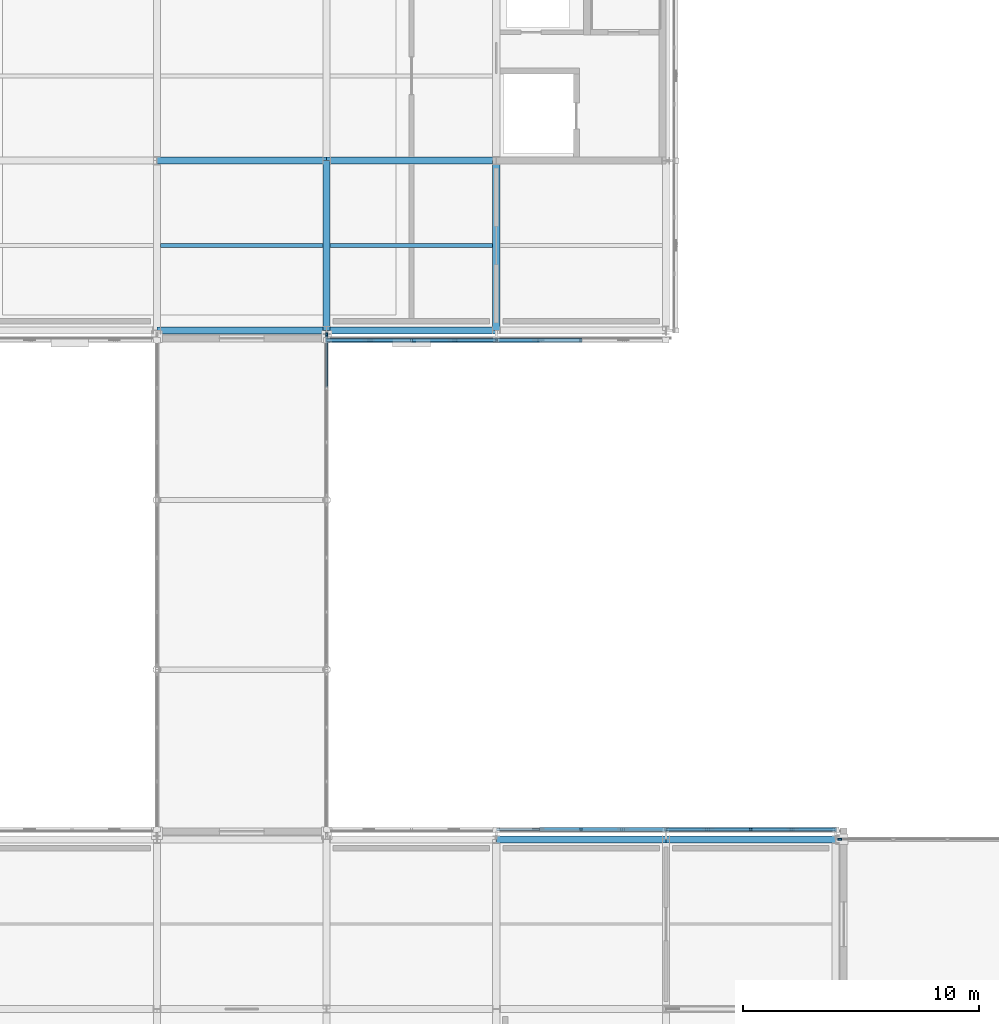
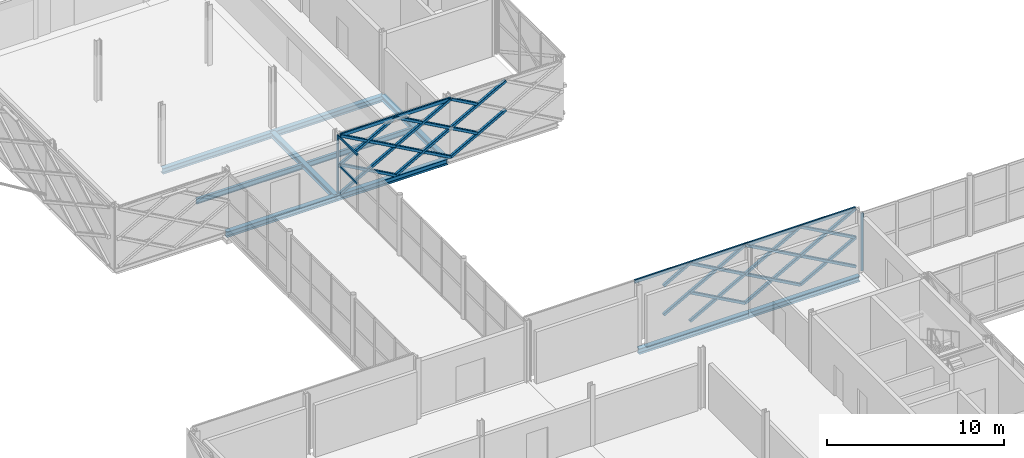
# One storey, part 35 of 146: 43 members, 10 beams, 2 elements without a shape of their own.
"""IFC4 building model written with IfcOpenShell, lengths in metres."""

from ifc_helpers import new_model, si_unit, direction, frame, origin, origin_2d, place, context, subcontext, project, spatial, rectangle, hollow_rectangle, i_section, extrude, material, material_profile, profile_set, type_object, element, aggregate, save


model = new_model("IFC4")

# Units and contexts
model_context = context("Model", 3, precision=1e-05, world=origin(), true_north=direction((0.0, 1.0)))
body_context = subcontext(model_context, "Body", "Model", "MODEL_VIEW")
ifc_project = project(units=[si_unit("LENGTHUNIT", "METRE"), si_unit("AREAUNIT", "SQUARE_METRE"), si_unit("VOLUMEUNIT", "CUBIC_METRE"), si_unit("PLANEANGLEUNIT", "RADIAN"), si_unit("MASSUNIT", "GRAM", prefix="KILO")], contexts=[model_context])

# Site, building, storey
site_placement = place(None, origin())
site = spatial("IfcSite", under=ifc_project, at=site_placement, CompositionType="ELEMENT")
building_placement = place(site_placement, origin())
building = spatial("IfcBuilding", under=site, at=building_placement, Name="Zlatovets Crest Museum", CompositionType="ELEMENT")
storey_placement = place(building_placement, frame((0.0, 0.0, 4.5)))
storey = spatial("IfcBuildingStorey", under=building, at=storey_placement, Name="L01", CompositionType="ELEMENT", Elevation=4.5)

# Beams
ifc_material_1 = material(Name="Structural steel S355J2", Category="steel")
ifc_material_profile_1 = material_profile(ifc_material_1, i_section(OverallWidth=0.300048828125, OverallDepth=0.389892578125, WebThickness=0.010986328125, FlangeThickness=0.01904296875, FilletRadius=0.027099609375, at=origin_2d()), Name="HEA 400")
ifc_profile_set_1 = profile_set([ifc_material_profile_1], Name="Structural steel S355J2")
beam_type_1 = type_object("IfcBeamType", Name="Beam_B-02", PredefinedType="BEAM", material=ifc_profile_set_1)
for number, where, z_axis, x_axis, name in (
    (1, (28.800048828125, 28.800048828125, -0.4150390625), (1.0, 0.0, 0.0), (0.0, 1.0, 0.0), "V3 L01 Primary Girder B-02"),
    (2, (36.0, 28.800048828125, -0.4150390625), (1.0, 0.0, 0.0), (0.0, 1.0, 0.0), "V3 L01 Primary Girder B-02"),
):
    element("IfcBeam", number, at=place(storey_placement, frame(where, z_axis=z_axis, x_axis=x_axis)), inside=storey, type_object=beam_type_1, Name=name, PredefinedType="BEAM", context=body_context, shape_type="SweptSolid", body=[
        extrude(i_section(OverallWidth=0.300048828125, OverallDepth=0.389892578125, WebThickness=0.010986328125, FlangeThickness=0.01904296875, FilletRadius=0.027099609375, at=origin_2d()), origin(), (0.0, 0.0, 1.0), 7.199951171875),
    ])
beam_1_placement = place(storey_placement, frame((14.39990234375, 50.39990234375, -0.4150390625), z_axis=(1.0, 0.0, 0.0), x_axis=(0.0, 1.0, 0.0)))
element("IfcBeam", 3, at=beam_1_placement, inside=storey, type_object=beam_type_1, Name="V4 L01 Primary Girder B-02", PredefinedType="BEAM", context=body_context, shape_type="SweptSolid", body=[
    extrude(i_section(OverallWidth=0.300048828125, OverallDepth=0.389892578125, WebThickness=0.010986328125, FlangeThickness=0.01904296875, FilletRadius=0.027099609375, at=origin_2d()), origin(), (0.0, 0.0, 1.0), 7.2001953125),
])
beam_2_placement = place(storey_placement, frame((21.60009765625, 50.39990234375, -0.4150390625), z_axis=(1.0, 0.0, 0.0), x_axis=(0.0, 1.0, 0.0)))
element("IfcBeam", 4, at=beam_2_placement, inside=storey, type_object=beam_type_1, Name="V4 L01 Primary Girder B-02", PredefinedType="BEAM", context=body_context, shape_type="SweptSolid", body=[
    extrude(i_section(OverallWidth=0.300048828125, OverallDepth=0.389892578125, WebThickness=0.010986328125, FlangeThickness=0.01904296875, FilletRadius=0.027099609375, at=origin_2d()), origin(), (0.0, 0.0, 1.0), 7.199951171875),
])
beam_3_placement = place(storey_placement, frame((14.39990234375, 57.60009765625, -0.4150390625), z_axis=(1.0, 0.0, 0.0), x_axis=(0.0, 1.0, 0.0)))
element("IfcBeam", 5, at=beam_3_placement, inside=storey, type_object=beam_type_1, Name="V4 L01 Primary Girder B-02", PredefinedType="BEAM", context=body_context, shape_type="SweptSolid", body=[
    extrude(i_section(OverallWidth=0.300048828125, OverallDepth=0.389892578125, WebThickness=0.010986328125, FlangeThickness=0.01904296875, FilletRadius=0.027099609375, at=origin_2d()), origin(), (0.0, 0.0, 1.0), 7.2001953125),
])
beam_4_placement = place(storey_placement, frame((21.60009765625, 57.60009765625, -0.4150390625), z_axis=(1.0, 0.0, 0.0), x_axis=(0.0, 1.0, 0.0)))
element("IfcBeam", 6, at=beam_4_placement, inside=storey, type_object=beam_type_1, Name="V4 L01 Primary Girder B-02", PredefinedType="BEAM", context=body_context, shape_type="SweptSolid", body=[
    extrude(i_section(OverallWidth=0.300048828125, OverallDepth=0.389892578125, WebThickness=0.010986328125, FlangeThickness=0.01904296875, FilletRadius=0.027099609375, at=origin_2d()), origin(), (0.0, 0.0, 1.0), 7.199951171875),
])
ifc_material_profile_2 = material_profile(ifc_material_1, i_section(OverallWidth=0.300048828125, OverallDepth=0.35009765625, WebThickness=0.010009765625, FlangeThickness=0.017578125, FilletRadius=0.027099609375, at=origin_2d()), Name="HEA 360")
ifc_profile_set_2 = profile_set([ifc_material_profile_2], Name="Structural steel S355J2")
beam_type_2 = type_object("IfcBeamType", Name="Beam_B-03", PredefinedType="BEAM", material=ifc_profile_set_2)
for number, where, z_axis, x_axis, name in (
    (7, (21.60009765625, 50.39990234375, -0.39501953125), (0.0, 1.0, 0.0), (-1.0, 0.0, 0.0), "V4 L01 Grid Beam B-03"),
    (8, (28.800048828125, 50.39990234375, -0.39501953125), (0.0, 1.0, 0.0), (-1.0, 0.0, 0.0), "V4 L01 Grid Beam B-03"),
):
    element("IfcBeam", number, at=place(storey_placement, frame(where, z_axis=z_axis, x_axis=x_axis)), inside=storey, type_object=beam_type_2, Name=name, PredefinedType="BEAM", context=body_context, shape_type="SweptSolid", body=[
        extrude(i_section(OverallWidth=0.300048828125, OverallDepth=0.35009765625, WebThickness=0.010009765625, FlangeThickness=0.017578125, FilletRadius=0.027099609375, at=origin_2d()), origin(), (0.0, 0.0, 1.0), 7.2001953125),
    ])
ifc_material_profile_3 = material_profile(ifc_material_1, i_section(OverallWidth=0.169921875, OverallDepth=0.360107421875, WebThickness=0.008056640625, FlangeThickness=0.0126953125, FilletRadius=0.01806640625, at=origin_2d()), Name="IPE 360")
ifc_profile_set_3 = profile_set([ifc_material_profile_3], Name="Structural steel S355J2")
beam_type_3 = type_object("IfcBeamType", Name="Beam_J-01", PredefinedType="JOIST", material=ifc_profile_set_3)
for number, where, z_axis, x_axis, name in (
    (9, (14.550048828125, 54.0, -0.39990234375), (1.0, 0.0, 0.0), (0.0, 1.0, 0.0), "V4 L01 Composite Joist J-01"),
    (10, (21.75, 54.0, -0.39990234375), (1.0, 0.0, 0.0), (0.0, 1.0, 0.0), "V4 L01 Composite Joist J-01"),
):
    element("IfcBeam", number, at=place(storey_placement, frame(where, z_axis=z_axis, x_axis=x_axis)), inside=storey, type_object=beam_type_3, Name=name, PredefinedType="JOIST", context=body_context, shape_type="SweptSolid", body=[
        extrude(i_section(OverallWidth=0.169921875, OverallDepth=0.360107421875, WebThickness=0.008056640625, FlangeThickness=0.0126953125, FilletRadius=0.01806640625, at=origin_2d()), origin(), (0.0, 0.0, 1.0), 6.89990234375),
    ])

# Curtain wall, member
ifc_material_2 = material(Name="Bronze-anodised aluminium and low-E triple glass", Category="aluminium")
curtain_wall_type_1 = type_object("IfcCurtainWallType", Name="CW_CW-BR1-L01-S69", PredefinedType="NOTDEFINED", material=ifc_material_2)
curtain_wall_1_placement = place(storey_placement, origin())
curtain_wall_1 = element("IfcCurtainWall", 11, at=curtain_wall_1_placement, inside=storey, type_object=curtain_wall_type_1, Name="South Forecourt Glazed Link Bridge L01 Glazed Bridge Curtain Wall", PredefinedType="NOTDEFINED")
ifc_material_3 = material(Name="Bronze-anodised aluminium EN AW-6060", Category="aluminium")
ifc_material_profile_4 = material_profile(ifc_material_3, rectangle(XDim=0.080078125, YDim=0.159912109375, at=origin_2d()), Name="ALU 80x160")
ifc_profile_set_4 = profile_set([ifc_material_profile_4], Name="Bronze-anodised aluminium EN AW-6060")
member_type_1 = type_object("IfcMemberType", Name="CWMull_M1", PredefinedType="MULLION", material=ifc_profile_set_4)
member_1_placement = place(storey_placement, frame((43.3798828125, 28.800048828125, 0.0), z_axis=(0.0, 0.0, 1.0), x_axis=(0.0, 1.0, 0.0)))
member_1 = element("IfcMember", 12, at=member_1_placement, type_object=member_type_1, Name="CW-BR1-L01-S69 mullion 1", PredefinedType="MULLION", context=body_context, shape_type="SweptSolid", body=[
    extrude(rectangle(XDim=0.080078125, YDim=0.159912109375, at=origin_2d()), origin(), (0.0, 0.0, 1.0), 3.97998046875),
])
aggregate(curtain_wall_1, [member_1])

# Curtain wall, members
curtain_wall_type_2 = type_object("IfcCurtainWallType", Name="CW_CW-BR2-L01-S69", PredefinedType="NOTDEFINED", material=ifc_material_2)
curtain_wall_2_placement = place(storey_placement, origin())
curtain_wall_2 = element("IfcCurtainWall", 13, at=curtain_wall_2_placement, inside=storey, type_object=curtain_wall_type_2, Name="West Hillside Glazed Link Bridge L01 Glazed Bridge Curtain Wall", PredefinedType="NOTDEFINED")
member_2_placement = place(storey_placement, frame((21.60009765625, 50.219970703125, 0.0), z_axis=(0.0, 0.0, 1.0), x_axis=(-1.0, 0.0, 0.0)))
member_2 = element("IfcMember", 14, at=member_2_placement, type_object=member_type_1, Name="CW-BR2-L01-S69 mullion 4", PredefinedType="MULLION", context=body_context, shape_type="SweptSolid", body=[
    extrude(rectangle(XDim=0.080078125, YDim=0.159912109375, at=origin_2d()), origin(), (0.0, 0.0, 1.0), 3.97998046875),
])
ifc_material_profile_5 = material_profile(ifc_material_3, rectangle(XDim=0.080078125, YDim=0.159912109375, at=origin_2d()), Name="ALU 80x160")
ifc_profile_set_5 = profile_set([ifc_material_profile_5], Name="Bronze-anodised aluminium EN AW-6060")
member_type_2 = type_object("IfcMemberType", Name="CWTrans_T1", PredefinedType="USERDEFINED", material=ifc_profile_set_5)
member_3_placement = place(storey_placement, frame((21.60009765625, 47.97998046875, 1.989990234375), z_axis=(0.0, 1.0, 0.0), x_axis=(-1.0, 0.0, 0.0)))
member_3 = element("IfcMember", 15, at=member_3_placement, type_object=member_type_2, Name="CW-BR2-L01-S69 transom 3.2", ObjectType="TRANSOM", PredefinedType="USERDEFINED", context=body_context, shape_type="SweptSolid", body=[
    extrude(rectangle(XDim=0.080078125, YDim=0.159912109375, at=origin_2d()), origin(), (0.0, 0.0, 1.0), 2.2099609375),
])
member_4_placement = place(storey_placement, frame((21.60009765625, 47.97998046875, 3.949951171875), z_axis=(0.0, 1.0, 0.0), x_axis=(-1.0, 0.0, 0.0)))
member_4 = element("IfcMember", 16, at=member_4_placement, type_object=member_type_2, Name="CW-BR2-L01-S69 transom 3.3", ObjectType="TRANSOM", PredefinedType="USERDEFINED", context=body_context, shape_type="SweptSolid", body=[
    extrude(rectangle(XDim=0.080078125, YDim=0.159912109375, at=origin_2d()), origin(), (0.0, 0.0, 1.0), 2.2099609375),
])
aggregate(curtain_wall_2, [member_2, member_3, member_4])

# Members
ifc_material_4 = material(Name="Weathering bronze-steel S355J2W", Category="steel")
ifc_material_profile_6 = material_profile(ifc_material_4, hollow_rectangle(XDim=0.179931640625, YDim=0.179931640625, WallThickness=0.010009765625, InnerFilletRadius=0.010009765625, OuterFilletRadius=0.02001953125, at=origin_2d()), Name="SHS 180x180x10.0")
ifc_profile_set_6 = profile_set([ifc_material_profile_6], Name="Weathering bronze-steel S355J2W")
member_type_3 = type_object("IfcMemberType", Name="Lattice_XL-01", PredefinedType="BRACE", material=ifc_profile_set_6)
member_5_placement = place(storey_placement, frame((43.199951171875, 29.219970703125, 0.10009765625), z_axis=(-0.874148886685, 0.0, 0.485658031857), x_axis=(0.0, -1.0, 0.0)))
element("IfcMember", 17, at=member_5_placement, inside=storey, type_object=member_type_3, Name="Continuous Bronze Lattice Diagonal", PredefinedType="BRACE", context=body_context, shape_type="SweptSolid", body=[
    extrude(hollow_rectangle(XDim=0.179931640625, YDim=0.179931640625, WallThickness=0.010009765625, InnerFilletRadius=0.010009765625, OuterFilletRadius=0.02001953125, at=origin_2d()), origin(), (0.0, 0.0, 1.0), 4.1181640625),
])
member_6_placement = place(storey_placement, frame((43.199951171875, 29.219970703125, 2.10009765625), z_axis=(-0.874116234569, 0.0, -0.48571679862), x_axis=(0.0, -1.0, 0.0)))
element("IfcMember", 18, at=member_6_placement, inside=storey, type_object=member_type_3, Name="Split Crossing Bronze Lattice Diagonal Upper", PredefinedType="BRACE", context=body_context, shape_type="SweptSolid", body=[
    extrude(hollow_rectangle(XDim=0.179931640625, YDim=0.179931640625, WallThickness=0.010009765625, InnerFilletRadius=0.010009765625, OuterFilletRadius=0.02001953125, at=origin_2d()), origin(), (0.0, 0.0, 1.0), 1.96435546875),
])
member_7_placement = place(storey_placement, frame((41.31689453125, 29.219970703125, 1.053955078125), z_axis=(-0.874139684676, 0.0, -0.48567459443), x_axis=(0.0, -1.0, 0.0)))
element("IfcMember", 19, at=member_7_placement, inside=storey, type_object=member_type_3, Name="Split Crossing Bronze Lattice Diagonal Lower", PredefinedType="BRACE", context=body_context, shape_type="SweptSolid", body=[
    extrude(hollow_rectangle(XDim=0.179931640625, YDim=0.179931640625, WallThickness=0.010009765625, InnerFilletRadius=0.010009765625, OuterFilletRadius=0.02001953125, at=origin_2d()), origin(), (0.0, 0.0, 1.0), 1.9638671875),
])
member_8_placement = place(storey_placement, frame((39.60009765625, 29.219970703125, 0.10009765625), z_axis=(-0.874162868644, 0.0, 0.485632864501), x_axis=(0.0, -1.0, 0.0)))
element("IfcMember", 20, at=member_8_placement, inside=storey, type_object=member_type_3, Name="Continuous Bronze Lattice Diagonal", PredefinedType="BRACE", context=body_context, shape_type="SweptSolid", body=[
    extrude(hollow_rectangle(XDim=0.179931640625, YDim=0.179931640625, WallThickness=0.010009765625, InnerFilletRadius=0.010009765625, OuterFilletRadius=0.02001953125, at=origin_2d()), origin(), (0.0, 0.0, 1.0), 4.118408203125),
])
member_9_placement = place(storey_placement, frame((39.60009765625, 29.219970703125, 2.10009765625), z_axis=(-0.874116234569, 0.0, -0.48571679862), x_axis=(0.0, -1.0, 0.0)))
element("IfcMember", 21, at=member_9_placement, inside=storey, type_object=member_type_3, Name="Split Crossing Bronze Lattice Diagonal Upper", PredefinedType="BRACE", context=body_context, shape_type="SweptSolid", body=[
    extrude(hollow_rectangle(XDim=0.179931640625, YDim=0.179931640625, WallThickness=0.010009765625, InnerFilletRadius=0.010009765625, OuterFilletRadius=0.02001953125, at=origin_2d()), origin(), (0.0, 0.0, 1.0), 1.96435546875),
])
member_10_placement = place(storey_placement, frame((37.717041015625, 29.219970703125, 1.053955078125), z_axis=(-0.874169001841, 0.0, -0.485621824284), x_axis=(0.0, -1.0, 0.0)))
element("IfcMember", 22, at=member_10_placement, inside=storey, type_object=member_type_3, Name="Split Crossing Bronze Lattice Diagonal Lower", PredefinedType="BRACE", context=body_context, shape_type="SweptSolid", body=[
    extrude(hollow_rectangle(XDim=0.179931640625, YDim=0.179931640625, WallThickness=0.010009765625, InnerFilletRadius=0.010009765625, OuterFilletRadius=0.02001953125, at=origin_2d()), origin(), (0.0, 0.0, 1.0), 1.964111328125),
])
member_11_placement = place(storey_placement, frame((43.199951171875, 29.219970703125, 2.10009765625), z_axis=(-0.874148886685, 0.0, 0.485658031857), x_axis=(0.0, -1.0, 0.0)))
element("IfcMember", 23, at=member_11_placement, inside=storey, type_object=member_type_3, Name="Continuous Bronze Lattice Diagonal", PredefinedType="BRACE", context=body_context, shape_type="SweptSolid", body=[
    extrude(hollow_rectangle(XDim=0.179931640625, YDim=0.179931640625, WallThickness=0.010009765625, InnerFilletRadius=0.010009765625, OuterFilletRadius=0.02001953125, at=origin_2d()), origin(), (0.0, 0.0, 1.0), 4.1181640625),
])
member_12_placement = place(storey_placement, frame((43.199951171875, 29.219970703125, 4.10009765625), z_axis=(-0.874116234569, 0.0, -0.48571679862), x_axis=(0.0, -1.0, 0.0)))
element("IfcMember", 24, at=member_12_placement, inside=storey, type_object=member_type_3, Name="Split Crossing Bronze Lattice Diagonal Upper", PredefinedType="BRACE", context=body_context, shape_type="SweptSolid", body=[
    extrude(hollow_rectangle(XDim=0.179931640625, YDim=0.179931640625, WallThickness=0.010009765625, InnerFilletRadius=0.010009765625, OuterFilletRadius=0.02001953125, at=origin_2d()), origin(), (0.0, 0.0, 1.0), 1.96435546875),
])
member_13_placement = place(storey_placement, frame((41.31689453125, 29.219970703125, 3.053955078125), z_axis=(-0.874139684676, 0.0, -0.48567459443), x_axis=(0.0, -1.0, 0.0)))
element("IfcMember", 25, at=member_13_placement, inside=storey, type_object=member_type_3, Name="Split Crossing Bronze Lattice Diagonal Lower", PredefinedType="BRACE", context=body_context, shape_type="SweptSolid", body=[
    extrude(hollow_rectangle(XDim=0.179931640625, YDim=0.179931640625, WallThickness=0.010009765625, InnerFilletRadius=0.010009765625, OuterFilletRadius=0.02001953125, at=origin_2d()), origin(), (0.0, 0.0, 1.0), 1.9638671875),
])
member_14_placement = place(storey_placement, frame((39.60009765625, 29.219970703125, 2.10009765625), z_axis=(-0.874162868644, 0.0, 0.485632864501), x_axis=(0.0, -1.0, 0.0)))
element("IfcMember", 26, at=member_14_placement, inside=storey, type_object=member_type_3, Name="Continuous Bronze Lattice Diagonal", PredefinedType="BRACE", context=body_context, shape_type="SweptSolid", body=[
    extrude(hollow_rectangle(XDim=0.179931640625, YDim=0.179931640625, WallThickness=0.010009765625, InnerFilletRadius=0.010009765625, OuterFilletRadius=0.02001953125, at=origin_2d()), origin(), (0.0, 0.0, 1.0), 4.118408203125),
])
member_15_placement = place(storey_placement, frame((39.60009765625, 29.219970703125, 4.10009765625), z_axis=(-0.874116234569, 0.0, -0.48571679862), x_axis=(0.0, -1.0, 0.0)))
element("IfcMember", 27, at=member_15_placement, inside=storey, type_object=member_type_3, Name="Split Crossing Bronze Lattice Diagonal Upper", PredefinedType="BRACE", context=body_context, shape_type="SweptSolid", body=[
    extrude(hollow_rectangle(XDim=0.179931640625, YDim=0.179931640625, WallThickness=0.010009765625, InnerFilletRadius=0.010009765625, OuterFilletRadius=0.02001953125, at=origin_2d()), origin(), (0.0, 0.0, 1.0), 1.96435546875),
])
member_16_placement = place(storey_placement, frame((37.717041015625, 29.219970703125, 3.053955078125), z_axis=(-0.874169001841, 0.0, -0.485621824284), x_axis=(0.0, -1.0, 0.0)))
element("IfcMember", 28, at=member_16_placement, inside=storey, type_object=member_type_3, Name="Split Crossing Bronze Lattice Diagonal Lower", PredefinedType="BRACE", context=body_context, shape_type="SweptSolid", body=[
    extrude(hollow_rectangle(XDim=0.179931640625, YDim=0.179931640625, WallThickness=0.010009765625, InnerFilletRadius=0.010009765625, OuterFilletRadius=0.02001953125, at=origin_2d()), origin(), (0.0, 0.0, 1.0), 1.964111328125),
])
member_17_placement = place(storey_placement, frame((36.0, 29.219970703125, 0.10009765625), z_axis=(-0.874162868644, 0.0, 0.485632864501), x_axis=(0.0, -1.0, 0.0)))
element("IfcMember", 29, at=member_17_placement, inside=storey, type_object=member_type_3, Name="Continuous Bronze Lattice Diagonal", PredefinedType="BRACE", context=body_context, shape_type="SweptSolid", body=[
    extrude(hollow_rectangle(XDim=0.179931640625, YDim=0.179931640625, WallThickness=0.010009765625, InnerFilletRadius=0.010009765625, OuterFilletRadius=0.02001953125, at=origin_2d()), origin(), (0.0, 0.0, 1.0), 4.118408203125),
])
member_18_placement = place(storey_placement, frame((36.0, 29.219970703125, 2.10009765625), z_axis=(-0.874116234569, 0.0, -0.48571679862), x_axis=(0.0, -1.0, 0.0)))
element("IfcMember", 30, at=member_18_placement, inside=storey, type_object=member_type_3, Name="Split Crossing Bronze Lattice Diagonal Upper", PredefinedType="BRACE", context=body_context, shape_type="SweptSolid", body=[
    extrude(hollow_rectangle(XDim=0.179931640625, YDim=0.179931640625, WallThickness=0.010009765625, InnerFilletRadius=0.010009765625, OuterFilletRadius=0.02001953125, at=origin_2d()), origin(), (0.0, 0.0, 1.0), 1.96435546875),
])
for number, where, z_axis, x_axis, name in (
    (31, (34.116943359375, 29.219970703125, 1.053955078125), (-0.874169001841, 0.0, -0.485621824284), (0.0, -1.0, 0.0), "Split Crossing Bronze Lattice Diagonal Lower"),
    (32, (32.39990234375, 29.219970703125, 2.10009765625), (-0.874086907708, 0.0, -0.485769572713), (0.0, -1.0, 0.0), "Split Crossing Bronze Lattice Diagonal Upper"),
):
    element("IfcMember", number, at=place(storey_placement, frame(where, z_axis=z_axis, x_axis=x_axis)), inside=storey, type_object=member_type_3, Name=name, PredefinedType="BRACE", context=body_context, shape_type="SweptSolid", body=[
        extrude(hollow_rectangle(XDim=0.179931640625, YDim=0.179931640625, WallThickness=0.010009765625, InnerFilletRadius=0.010009765625, OuterFilletRadius=0.02001953125, at=origin_2d()), origin(), (0.0, 0.0, 1.0), 1.964111328125),
    ])
member_19_placement = place(storey_placement, frame((36.0, 29.219970703125, 2.10009765625), z_axis=(-0.874162868644, 0.0, 0.485632864501), x_axis=(0.0, -1.0, 0.0)))
element("IfcMember", 33, at=member_19_placement, inside=storey, type_object=member_type_3, Name="Continuous Bronze Lattice Diagonal", PredefinedType="BRACE", context=body_context, shape_type="SweptSolid", body=[
    extrude(hollow_rectangle(XDim=0.179931640625, YDim=0.179931640625, WallThickness=0.010009765625, InnerFilletRadius=0.010009765625, OuterFilletRadius=0.02001953125, at=origin_2d()), origin(), (0.0, 0.0, 1.0), 4.118408203125),
])
member_20_placement = place(storey_placement, frame((36.0, 29.219970703125, 4.10009765625), z_axis=(-0.874116234569, 0.0, -0.48571679862), x_axis=(0.0, -1.0, 0.0)))
element("IfcMember", 34, at=member_20_placement, inside=storey, type_object=member_type_3, Name="Split Crossing Bronze Lattice Diagonal Upper", PredefinedType="BRACE", context=body_context, shape_type="SweptSolid", body=[
    extrude(hollow_rectangle(XDim=0.179931640625, YDim=0.179931640625, WallThickness=0.010009765625, InnerFilletRadius=0.010009765625, OuterFilletRadius=0.02001953125, at=origin_2d()), origin(), (0.0, 0.0, 1.0), 1.96435546875),
])
for number, where, z_axis, x_axis, name in (
    (35, (34.116943359375, 29.219970703125, 3.053955078125), (-0.874169001841, 0.0, -0.485621824284), (0.0, -1.0, 0.0), "Split Crossing Bronze Lattice Diagonal Lower"),
    (36, (32.39990234375, 29.219970703125, 4.10009765625), (-0.874086907708, 0.0, -0.485769572713), (0.0, -1.0, 0.0), "Split Crossing Bronze Lattice Diagonal Upper"),
):
    element("IfcMember", number, at=place(storey_placement, frame(where, z_axis=z_axis, x_axis=x_axis)), inside=storey, type_object=member_type_3, Name=name, PredefinedType="BRACE", context=body_context, shape_type="SweptSolid", body=[
        extrude(hollow_rectangle(XDim=0.179931640625, YDim=0.179931640625, WallThickness=0.010009765625, InnerFilletRadius=0.010009765625, OuterFilletRadius=0.02001953125, at=origin_2d()), origin(), (0.0, 0.0, 1.0), 1.964111328125),
    ])
member_21_placement = place(storey_placement, frame((21.60009765625, 49.97998046875, 0.10009765625), z_axis=(0.874148886685, 0.0, 0.485658031857), x_axis=(0.0, 1.0, 0.0)))
element("IfcMember", 37, at=member_21_placement, inside=storey, type_object=member_type_3, Name="Continuous Bronze Lattice Diagonal", PredefinedType="BRACE", context=body_context, shape_type="SweptSolid", body=[
    extrude(hollow_rectangle(XDim=0.179931640625, YDim=0.179931640625, WallThickness=0.010009765625, InnerFilletRadius=0.010009765625, OuterFilletRadius=0.02001953125, at=origin_2d()), origin(), (0.0, 0.0, 1.0), 4.1181640625),
])
for number, where, z_axis, x_axis, name in (
    (38, (21.60009765625, 49.97998046875, 2.10009765625), (0.874086907708, 0.0, -0.485769572713), (0.0, 1.0, 0.0), "Split Crossing Bronze Lattice Diagonal Upper"),
    (39, (23.48291015625, 49.97998046875, 1.053955078125), (0.874169001841, 0.0, -0.485621824284), (0.0, 1.0, 0.0), "Split Crossing Bronze Lattice Diagonal Lower"),
):
    element("IfcMember", number, at=place(storey_placement, frame(where, z_axis=z_axis, x_axis=x_axis)), inside=storey, type_object=member_type_3, Name=name, PredefinedType="BRACE", context=body_context, shape_type="SweptSolid", body=[
        extrude(hollow_rectangle(XDim=0.179931640625, YDim=0.179931640625, WallThickness=0.010009765625, InnerFilletRadius=0.010009765625, OuterFilletRadius=0.02001953125, at=origin_2d()), origin(), (0.0, 0.0, 1.0), 1.964111328125),
    ])
member_22_placement = place(storey_placement, frame((25.199951171875, 49.97998046875, 0.10009765625), z_axis=(0.874162868644, 0.0, 0.485632864501), x_axis=(0.0, 1.0, 0.0)))
element("IfcMember", 40, at=member_22_placement, inside=storey, type_object=member_type_3, Name="Continuous Bronze Lattice Diagonal", PredefinedType="BRACE", context=body_context, shape_type="SweptSolid", body=[
    extrude(hollow_rectangle(XDim=0.179931640625, YDim=0.179931640625, WallThickness=0.010009765625, InnerFilletRadius=0.010009765625, OuterFilletRadius=0.02001953125, at=origin_2d()), origin(), (0.0, 0.0, 1.0), 4.118408203125),
])
member_23_placement = place(storey_placement, frame((25.199951171875, 49.97998046875, 2.10009765625), z_axis=(0.874116234569, 0.0, -0.48571679862), x_axis=(0.0, 1.0, 0.0)))
element("IfcMember", 41, at=member_23_placement, inside=storey, type_object=member_type_3, Name="Split Crossing Bronze Lattice Diagonal Upper", PredefinedType="BRACE", context=body_context, shape_type="SweptSolid", body=[
    extrude(hollow_rectangle(XDim=0.179931640625, YDim=0.179931640625, WallThickness=0.010009765625, InnerFilletRadius=0.010009765625, OuterFilletRadius=0.02001953125, at=origin_2d()), origin(), (0.0, 0.0, 1.0), 1.96435546875),
])
member_24_placement = place(storey_placement, frame((27.0830078125, 49.97998046875, 1.053955078125), z_axis=(0.874169001841, 0.0, -0.485621824284), x_axis=(0.0, 1.0, 0.0)))
element("IfcMember", 42, at=member_24_placement, inside=storey, type_object=member_type_3, Name="Split Crossing Bronze Lattice Diagonal Lower", PredefinedType="BRACE", context=body_context, shape_type="SweptSolid", body=[
    extrude(hollow_rectangle(XDim=0.179931640625, YDim=0.179931640625, WallThickness=0.010009765625, InnerFilletRadius=0.010009765625, OuterFilletRadius=0.02001953125, at=origin_2d()), origin(), (0.0, 0.0, 1.0), 1.964111328125),
])
member_25_placement = place(storey_placement, frame((21.60009765625, 49.97998046875, 2.10009765625), z_axis=(0.874148886685, 0.0, 0.485658031857), x_axis=(0.0, 1.0, 0.0)))
element("IfcMember", 43, at=member_25_placement, inside=storey, type_object=member_type_3, Name="Continuous Bronze Lattice Diagonal", PredefinedType="BRACE", context=body_context, shape_type="SweptSolid", body=[
    extrude(hollow_rectangle(XDim=0.179931640625, YDim=0.179931640625, WallThickness=0.010009765625, InnerFilletRadius=0.010009765625, OuterFilletRadius=0.02001953125, at=origin_2d()), origin(), (0.0, 0.0, 1.0), 4.1181640625),
])
for number, where, z_axis, x_axis, name in (
    (44, (21.60009765625, 49.97998046875, 4.10009765625), (0.874086907708, 0.0, -0.485769572713), (0.0, 1.0, 0.0), "Split Crossing Bronze Lattice Diagonal Upper"),
    (45, (23.48291015625, 49.97998046875, 3.053955078125), (0.874169001841, 0.0, -0.485621824284), (0.0, 1.0, 0.0), "Split Crossing Bronze Lattice Diagonal Lower"),
):
    element("IfcMember", number, at=place(storey_placement, frame(where, z_axis=z_axis, x_axis=x_axis)), inside=storey, type_object=member_type_3, Name=name, PredefinedType="BRACE", context=body_context, shape_type="SweptSolid", body=[
        extrude(hollow_rectangle(XDim=0.179931640625, YDim=0.179931640625, WallThickness=0.010009765625, InnerFilletRadius=0.010009765625, OuterFilletRadius=0.02001953125, at=origin_2d()), origin(), (0.0, 0.0, 1.0), 1.964111328125),
    ])
member_26_placement = place(storey_placement, frame((25.199951171875, 49.97998046875, 2.10009765625), z_axis=(0.874162868644, 0.0, 0.485632864501), x_axis=(0.0, 1.0, 0.0)))
element("IfcMember", 46, at=member_26_placement, inside=storey, type_object=member_type_3, Name="Continuous Bronze Lattice Diagonal", PredefinedType="BRACE", context=body_context, shape_type="SweptSolid", body=[
    extrude(hollow_rectangle(XDim=0.179931640625, YDim=0.179931640625, WallThickness=0.010009765625, InnerFilletRadius=0.010009765625, OuterFilletRadius=0.02001953125, at=origin_2d()), origin(), (0.0, 0.0, 1.0), 4.118408203125),
])
member_27_placement = place(storey_placement, frame((25.199951171875, 49.97998046875, 4.10009765625), z_axis=(0.874116234569, 0.0, -0.48571679862), x_axis=(0.0, 1.0, 0.0)))
element("IfcMember", 47, at=member_27_placement, inside=storey, type_object=member_type_3, Name="Split Crossing Bronze Lattice Diagonal Upper", PredefinedType="BRACE", context=body_context, shape_type="SweptSolid", body=[
    extrude(hollow_rectangle(XDim=0.179931640625, YDim=0.179931640625, WallThickness=0.010009765625, InnerFilletRadius=0.010009765625, OuterFilletRadius=0.02001953125, at=origin_2d()), origin(), (0.0, 0.0, 1.0), 1.96435546875),
])
member_28_placement = place(storey_placement, frame((27.0830078125, 49.97998046875, 3.053955078125), z_axis=(0.874169001841, 0.0, -0.485621824284), x_axis=(0.0, 1.0, 0.0)))
element("IfcMember", 48, at=member_28_placement, inside=storey, type_object=member_type_3, Name="Split Crossing Bronze Lattice Diagonal Lower", PredefinedType="BRACE", context=body_context, shape_type="SweptSolid", body=[
    extrude(hollow_rectangle(XDim=0.179931640625, YDim=0.179931640625, WallThickness=0.010009765625, InnerFilletRadius=0.010009765625, OuterFilletRadius=0.02001953125, at=origin_2d()), origin(), (0.0, 0.0, 1.0), 1.964111328125),
])
member_29_placement = place(storey_placement, frame((28.800048828125, 49.97998046875, 0.10009765625), z_axis=(0.874148886685, 0.0, 0.485658031857), x_axis=(0.0, 1.0, 0.0)))
element("IfcMember", 49, at=member_29_placement, inside=storey, type_object=member_type_3, Name="Continuous Bronze Lattice Diagonal", PredefinedType="BRACE", context=body_context, shape_type="SweptSolid", body=[
    extrude(hollow_rectangle(XDim=0.179931640625, YDim=0.179931640625, WallThickness=0.010009765625, InnerFilletRadius=0.010009765625, OuterFilletRadius=0.02001953125, at=origin_2d()), origin(), (0.0, 0.0, 1.0), 4.1181640625),
])
member_30_placement = place(storey_placement, frame((28.800048828125, 49.97998046875, 2.10009765625), z_axis=(0.874116234569, 0.0, -0.48571679862), x_axis=(0.0, 1.0, 0.0)))
element("IfcMember", 50, at=member_30_placement, inside=storey, type_object=member_type_3, Name="Split Crossing Bronze Lattice Diagonal Upper", PredefinedType="BRACE", context=body_context, shape_type="SweptSolid", body=[
    extrude(hollow_rectangle(XDim=0.179931640625, YDim=0.179931640625, WallThickness=0.010009765625, InnerFilletRadius=0.010009765625, OuterFilletRadius=0.02001953125, at=origin_2d()), origin(), (0.0, 0.0, 1.0), 1.96435546875),
])
member_31_placement = place(storey_placement, frame((28.800048828125, 49.97998046875, 2.10009765625), z_axis=(0.874148886685, 0.0, 0.485658031857), x_axis=(0.0, 1.0, 0.0)))
element("IfcMember", 51, at=member_31_placement, inside=storey, type_object=member_type_3, Name="Continuous Bronze Lattice Diagonal", PredefinedType="BRACE", context=body_context, shape_type="SweptSolid", body=[
    extrude(hollow_rectangle(XDim=0.179931640625, YDim=0.179931640625, WallThickness=0.010009765625, InnerFilletRadius=0.010009765625, OuterFilletRadius=0.02001953125, at=origin_2d()), origin(), (0.0, 0.0, 1.0), 4.1181640625),
])
member_32_placement = place(storey_placement, frame((28.800048828125, 49.97998046875, 4.10009765625), z_axis=(0.874116234569, 0.0, -0.48571679862), x_axis=(0.0, 1.0, 0.0)))
element("IfcMember", 52, at=member_32_placement, inside=storey, type_object=member_type_3, Name="Split Crossing Bronze Lattice Diagonal Upper", PredefinedType="BRACE", context=body_context, shape_type="SweptSolid", body=[
    extrude(hollow_rectangle(XDim=0.179931640625, YDim=0.179931640625, WallThickness=0.010009765625, InnerFilletRadius=0.010009765625, OuterFilletRadius=0.02001953125, at=origin_2d()), origin(), (0.0, 0.0, 1.0), 1.96435546875),
])
ifc_material_profile_7 = material_profile(ifc_material_4, hollow_rectangle(XDim=0.1201171875, YDim=0.239990234375, WallThickness=0.010009765625, InnerFilletRadius=0.010009765625, OuterFilletRadius=0.02001953125, at=origin_2d()), Name="RHS 120x240x10.0")
ifc_profile_set_7 = profile_set([ifc_material_profile_7], Name="Weathering bronze-steel S355J2W")
member_type_4 = type_object("IfcMemberType", Name="Lattice_XL-04", PredefinedType="CHORD", material=ifc_profile_set_7)
for number, where, z_axis, x_axis, name in (
    (53, (43.199951171875, 29.219970703125, 4.10009765625), (-1.0, 0.0, 0.0), (0.0, -1.0, 0.0), "Art Nouveau Woven Cage Collector Ring Chord"),
    (54, (36.0, 29.219970703125, 4.10009765625), (-1.0, 0.0, 0.0), (0.0, -1.0, 0.0), "Art Nouveau Woven Cage Collector Ring Chord"),
    (55, (21.60009765625, 49.97998046875, 4.10009765625), (1.0, 0.0, 0.0), (0.0, 1.0, 0.0), "Art Nouveau Woven Cage Collector Ring Chord"),
):
    element("IfcMember", number, at=place(storey_placement, frame(where, z_axis=z_axis, x_axis=x_axis)), inside=storey, type_object=member_type_4, Name=name, PredefinedType="CHORD", context=body_context, shape_type="SweptSolid", body=[
        extrude(hollow_rectangle(XDim=0.1201171875, YDim=0.239990234375, WallThickness=0.010009765625, InnerFilletRadius=0.010009765625, OuterFilletRadius=0.02001953125, at=origin_2d()), origin(), (0.0, 0.0, 1.0), 7.199951171875),
    ])

save(model, "model.ifc")
